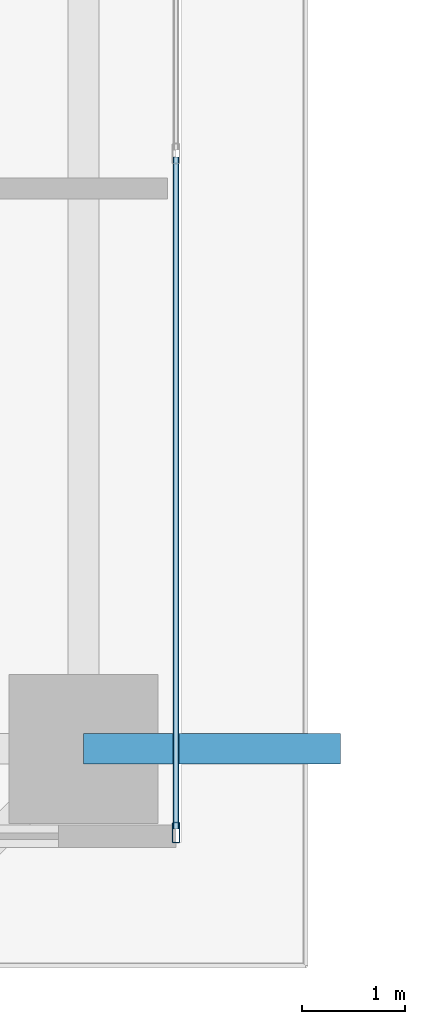
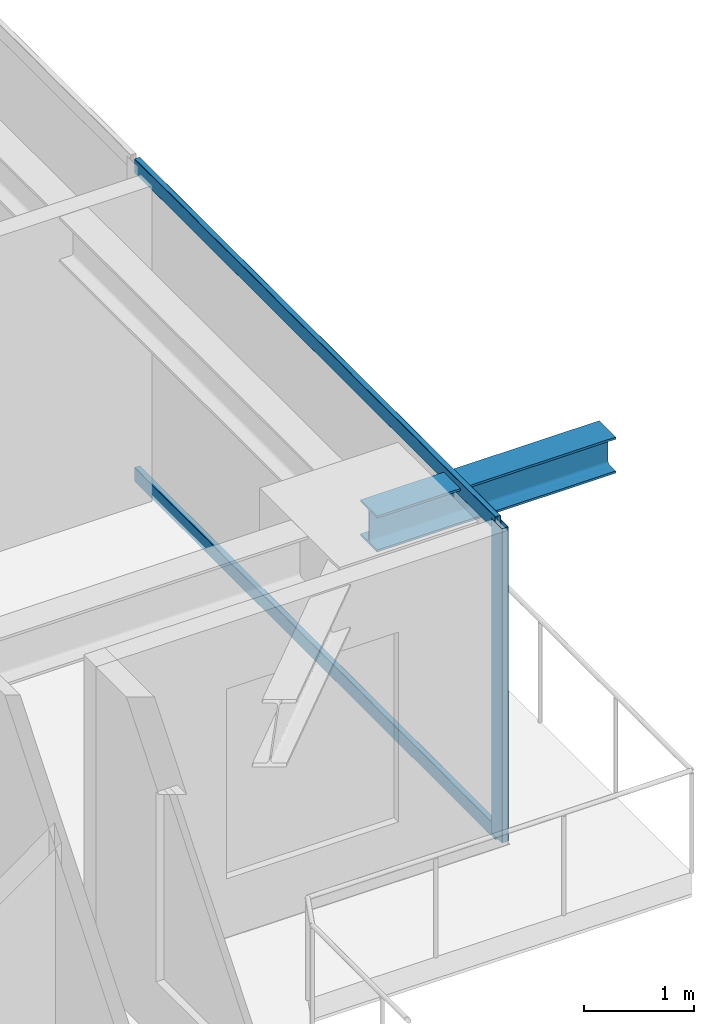
# One storey, part 12 of 39: 3 members, 1 beam, 1 element without a shape of its own.
"""IFC4 building model written with IfcOpenShell, lengths in metres."""

from ifc_helpers import new_model, si_unit, direction, frame, origin, origin_2d, place, context, subcontext, project, spatial, hollow_rectangle, i_section, extrude, source, transform, mapped, material, layer, layer_set, material_profile, profile_set, type_object, element, aggregate, save


model = new_model("IFC4")

# Units and contexts
model_context = context("Model", 3, precision=1e-05, world=origin(), true_north=direction((0.0, 1.0)))
body_context = subcontext(model_context, "Body", "Model", "MODEL_VIEW")
ifc_project = project(units=[si_unit("LENGTHUNIT", "METRE"), si_unit("AREAUNIT", "SQUARE_METRE"), si_unit("VOLUMEUNIT", "CUBIC_METRE"), si_unit("PLANEANGLEUNIT", "RADIAN"), si_unit("MASSUNIT", "GRAM", prefix="KILO")], contexts=[model_context])

# Site, building, storey
site_placement = place(None, origin())
site = spatial("IfcSite", under=ifc_project, at=site_placement, CompositionType="ELEMENT")
building_placement = place(site_placement, origin())
building = spatial("IfcBuilding", under=site, at=building_placement, Name="Serunith Strait Residences", CompositionType="ELEMENT")
storey_placement = place(building_placement, frame((0.0, 0.0, 60.449951171875)))
storey = spatial("IfcBuildingStorey", under=building, at=storey_placement, Name="L14", CompositionType="ELEMENT", Elevation=60.449951171875)

# Beam
ifc_material_1 = material(Name="Steel S355J2", Category="steel")
ifc_material_profile_1 = material_profile(ifc_material_1, i_section(OverallWidth=0.300048828125, OverallDepth=0.39990234375, WebThickness=0.013427734375, FlangeThickness=0.02392578125, FilletRadius=0.027099609375, at=origin_2d()), Name="HEB 400")
ifc_profile_set_1 = profile_set([ifc_material_profile_1], Name="Steel S355J2")
beam_type = type_object("IfcBeamType", Name="BM-HEB400", PredefinedType="BEAM", material=ifc_profile_set_1)
shared_shape_1 = source(origin(), body_context, "Body", "SweptSolid", [
    extrude(i_section(OverallWidth=0.300048828125, OverallDepth=0.39990234375, WebThickness=0.013427734375, FlangeThickness=0.02392578125, FilletRadius=0.027099609375, at=origin_2d()), origin(), (0.0, 0.0, 1.0), 2.499267578125),
])
beam_placement = place(storey_placement, frame((57.89990234375, 9.449951171875, 3.257080078125), z_axis=(1.0, 0.0, 0.0), x_axis=(0.0, 1.0, 0.0)))
element("IfcBeam", 1, at=beam_placement, inside=storey, type_object=beam_type, Name="L15 Cantilevered Balcony Rib TC-E1", PredefinedType="BEAM", context=body_context, shape_type="MappedRepresentation", body=[
    mapped(shared_shape_1, transform((0.0, 0.0, 0.0), scale=1.0)),
])

# Curtain wall, members
ifc_material_2 = material(Name="Pale-Champagne Anodised Aluminium", Category="aluminium")
ifc_layer = layer(ifc_material_2, 0.199951171875, Name="Pale-Champagne Anodised Aluminium")
ifc_layer_set = layer_set([ifc_layer], Name="Pale-Champagne Anodised Aluminium")
curtain_wall_type = type_object("IfcCurtainWallType", Name="CW-SYS1", PredefinedType="NOTDEFINED", material=ifc_layer_set)
curtain_wall_placement = place(storey_placement, origin())
curtain_wall = element("IfcCurtainWall", 2, at=curtain_wall_placement, inside=storey, type_object=curtain_wall_type, Name="L14 E Unitised Fritted Curtain Wall", PredefinedType="NOTDEFINED")
ifc_material_profile_2 = material_profile(ifc_material_2, hollow_rectangle(XDim=0.070068359375, YDim=0.199951171875, WallThickness=0.00390625, InnerFilletRadius=0.006103515625, OuterFilletRadius=0.010009765625, at=origin_2d()), Name="ALU 200x70x4")
ifc_profile_set_2 = profile_set([ifc_material_profile_2], Name="Pale-Champagne Anodised Aluminium")
member_type_1 = type_object("IfcMemberType", Name="CW-SYS1-MULL", PredefinedType="MULLION", material=ifc_profile_set_2)
shared_shape_2 = source(origin(), body_context, "Body", "SweptSolid", [
    extrude(hollow_rectangle(XDim=0.070068359375, YDim=0.199951171875, WallThickness=0.00390625, InnerFilletRadius=0.006103515625, OuterFilletRadius=0.010009765625, at=origin_2d()), origin(), (0.0, 0.0, 1.0), 3.47509765625),
])
member_1_placement = place(storey_placement, frame((58.800048828125, 8.635009765625, 0.0), z_axis=(0.0, 0.0, 1.0), x_axis=(-1.0, 0.0, 0.0)))
member_1 = element("IfcMember", 3, at=member_1_placement, type_object=member_type_1, Name="CW-1 mullion 1", PredefinedType="MULLION", context=body_context, shape_type="MappedRepresentation", body=[
    mapped(shared_shape_2, transform((0.0, 0.0, 0.0), scale=1.0)),
])
ifc_material_profile_3 = material_profile(ifc_material_2, hollow_rectangle(XDim=0.06005859375, YDim=0.159912109375, WallThickness=0.00341796875, InnerFilletRadius=0.00537109375, OuterFilletRadius=0.0087890625, at=origin_2d()), Name="ALU 160x60x3.5")
ifc_profile_set_3 = profile_set([ifc_material_profile_3], Name="Pale-Champagne Anodised Aluminium")
member_type_2 = type_object("IfcMemberType", Name="CW-SYS1-TRAN", PredefinedType="USERDEFINED", material=ifc_profile_set_3)
shared_shape_3 = source(origin(), body_context, "Body", "SweptSolid", [
    extrude(hollow_rectangle(XDim=0.06005859375, YDim=0.159912109375, WallThickness=0.00341796875, InnerFilletRadius=0.00537109375, OuterFilletRadius=0.0087890625, at=origin_2d()), origin(), (0.0, 0.0, 1.0), 6.53515625),
])
member_2_placement = place(storey_placement, frame((58.800048828125, 8.669921875, 0.030029296875), z_axis=(0.0, 1.0, 0.0), x_axis=(-1.0, 0.0, 0.0)))
member_2 = element("IfcMember", 4, at=member_2_placement, type_object=member_type_2, Name="CW-1 transom 1.1", ObjectType="TRANSOM", PredefinedType="USERDEFINED", context=body_context, shape_type="MappedRepresentation", body=[
    mapped(shared_shape_3, transform((0.0, 0.0, 0.0), scale=1.0)),
])
member_3_placement = place(storey_placement, frame((58.800048828125, 8.669921875, 3.445068359375), z_axis=(0.0, 1.0, 0.0), x_axis=(-1.0, 0.0, 0.0)))
member_3 = element("IfcMember", 5, at=member_3_placement, type_object=member_type_2, Name="CW-1 transom 1.2", ObjectType="TRANSOM", PredefinedType="USERDEFINED", context=body_context, shape_type="MappedRepresentation", body=[
    mapped(shared_shape_3, transform((0.0, 0.0, 0.0), scale=1.0)),
])
aggregate(curtain_wall, [member_1, member_2, member_3])

save(model, "model.ifc")
